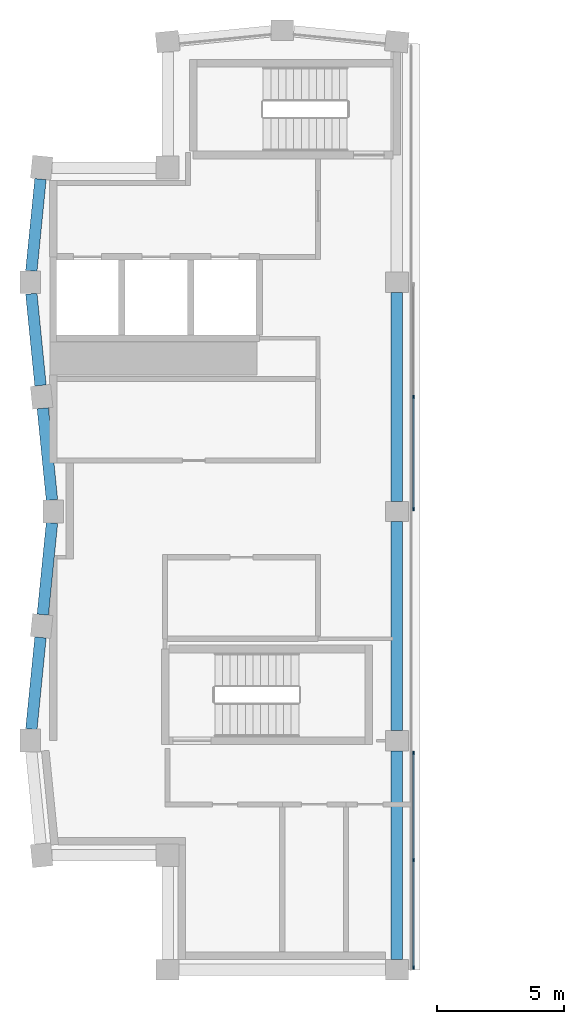
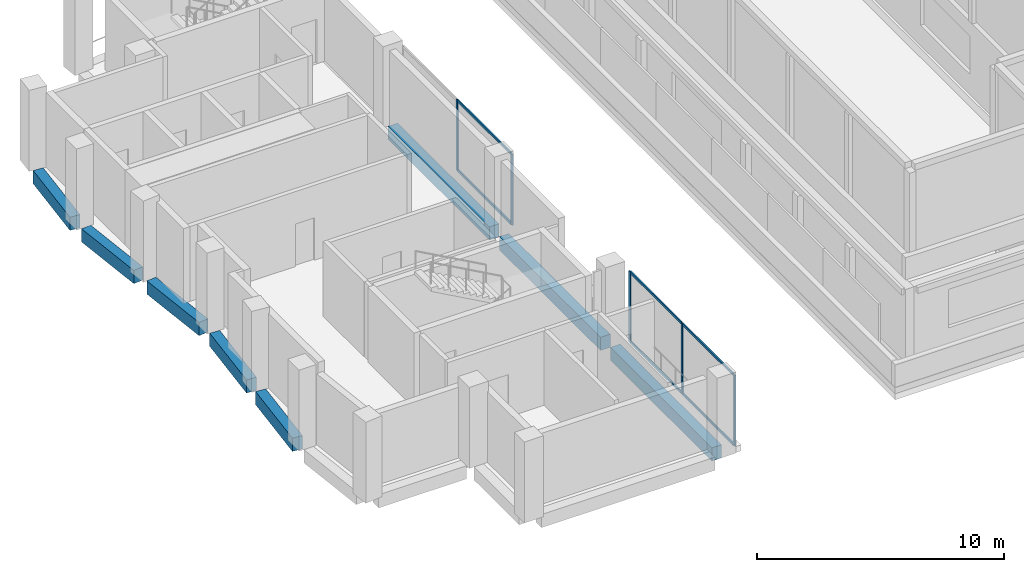
# One storey, part 2 of 8: 11 members, 8 beams, 2 elements without a shape of their own.
"""IFC4 building model written with IfcOpenShell, lengths in metres."""

from ifc_helpers import new_model, si_unit, direction, frame, origin, origin_2d, place, context, subcontext, project, spatial, rectangle, extrude, material, material_profile, profile_set, type_object, element, aggregate, save


model = new_model("IFC4")

# Units and contexts
model_context = context("Model", 3, precision=1e-05, world=origin(), true_north=direction((0.0, 1.0)))
body_context = subcontext(model_context, "Body", "Model", "MODEL_VIEW")
ifc_project = project(units=[si_unit("LENGTHUNIT", "METRE"), si_unit("AREAUNIT", "SQUARE_METRE"), si_unit("VOLUMEUNIT", "CUBIC_METRE"), si_unit("PLANEANGLEUNIT", "RADIAN"), si_unit("MASSUNIT", "GRAM", prefix="KILO")], contexts=[model_context])

# Site, building, storey
site_placement = place(None, origin())
site = spatial("IfcSite", under=ifc_project, at=site_placement, CompositionType="ELEMENT")
building_placement = place(site_placement, origin())
building = spatial("IfcBuilding", under=site, at=building_placement, Name="Brondeck Convention Tower", CompositionType="ELEMENT")
storey_placement = place(building_placement, frame((0.0, 0.0, 298.800048828125)))
storey = spatial("IfcBuildingStorey", under=building, at=storey_placement, Name="L74", CompositionType="ELEMENT", Elevation=298.800048828125)

# Curtain wall, members
ifc_material_1 = material(Name="Aluminium, bronze anodised", Category="aluminium")
curtain_wall_type = type_object("IfcCurtainWallType", Name="Crown screen curtain wall", PredefinedType="NOTDEFINED", material=ifc_material_1)
curtain_wall_1_placement = place(storey_placement, origin())
curtain_wall_1 = element("IfcCurtainWall", 1, at=curtain_wall_1_placement, inside=storey, type_object=curtain_wall_type, Name="ENV-CW4-L74-K1-SLOT-W-00-2", PredefinedType="NOTDEFINED")
ifc_material_profile_1 = material_profile(ifc_material_1, rectangle(XDim=0.06005859375, YDim=0.139892578125, at=origin_2d()), Name="CW4 mullion")
ifc_profile_set_1 = profile_set([ifc_material_profile_1], Name="Aluminium, bronze anodised")
member_type_1 = type_object("IfcMemberType", Name="CW4 mullion", PredefinedType="MULLION", material=ifc_profile_set_1)
member_1_placement = place(storey_placement, frame((14.14990234375, 35.52001953125, 0.0), z_axis=(0.0, 0.0, 1.0), x_axis=(1.0, 0.0, 0.0)))
member_1 = element("IfcMember", 2, at=member_1_placement, type_object=member_type_1, Name="CW4 mullion 1", PredefinedType="MULLION", context=body_context, shape_type="SweptSolid", body=[
    extrude(rectangle(XDim=0.06005859375, YDim=0.139892578125, at=origin_2d()), origin(), (0.0, 0.0, 1.0), 3.5),
])
member_2_placement = place(storey_placement, frame((14.14990234375, 31.304931640625, 0.0), z_axis=(0.0, 0.0, 1.0), x_axis=(1.0, 0.0, 0.0)))
member_2 = element("IfcMember", 3, at=member_2_placement, type_object=member_type_1, Name="CW4 mullion 2", PredefinedType="MULLION", context=body_context, shape_type="SweptSolid", body=[
    extrude(rectangle(XDim=0.06005859375, YDim=0.139892578125, at=origin_2d()), origin(), (0.0, 0.0, 1.0), 3.5),
])
member_3_placement = place(storey_placement, frame((14.14990234375, 27.090087890625, 0.0), z_axis=(0.0, 0.0, 1.0), x_axis=(1.0, 0.0, 0.0)))
member_3 = element("IfcMember", 4, at=member_3_placement, type_object=member_type_1, Name="CW4 mullion 3", PredefinedType="MULLION", context=body_context, shape_type="SweptSolid", body=[
    extrude(rectangle(XDim=0.06005859375, YDim=0.139892578125, at=origin_2d()), origin(), (0.0, 0.0, 1.0), 3.5),
])

curtain_wall_2_placement = place(storey_placement, origin())
curtain_wall_2 = element("IfcCurtainWall", 5, at=curtain_wall_2_placement, inside=storey, type_object=curtain_wall_type, Name="ENV-CW4-L74-K1-SLOT-W-05", PredefinedType="NOTDEFINED")
member_4_placement = place(storey_placement, frame((14.14990234375, 49.5, 0.0), z_axis=(0.0, 0.0, 1.0), x_axis=(1.0, 0.0, 0.0)))
member_4 = element("IfcMember", 6, at=member_4_placement, type_object=member_type_1, Name="CW4 mullion 2", PredefinedType="MULLION", context=body_context, shape_type="SweptSolid", body=[
    extrude(rectangle(XDim=0.06005859375, YDim=0.139892578125, at=origin_2d()), origin(), (0.0, 0.0, 1.0), 3.5),
])
member_5_placement = place(storey_placement, frame((14.14990234375, 45.090087890625, 0.0), z_axis=(0.0, 0.0, 1.0), x_axis=(1.0, 0.0, 0.0)))
member_5 = element("IfcMember", 7, at=member_5_placement, type_object=member_type_1, Name="CW4 mullion 3", PredefinedType="MULLION", context=body_context, shape_type="SweptSolid", body=[
    extrude(rectangle(XDim=0.06005859375, YDim=0.139892578125, at=origin_2d()), origin(), (0.0, 0.0, 1.0), 3.5),
])

# Member
ifc_material_profile_2 = material_profile(ifc_material_1, rectangle(XDim=0.06005859375, YDim=0.1201171875, at=origin_2d()), Name="CW4 transom")
ifc_profile_set_2 = profile_set([ifc_material_profile_2], Name="Aluminium, bronze anodised")
member_type_2 = type_object("IfcMemberType", Name="CW4 transom", PredefinedType="USERDEFINED", material=ifc_profile_set_2)
member_6_placement = place(storey_placement, frame((14.14990234375, 35.489990234375, 0.030029296875), z_axis=(0.0, -1.0, 0.0), x_axis=(1.0, 0.0, 0.0)))
member_6 = element("IfcMember", 8, at=member_6_placement, type_object=member_type_2, Name="CW4 transom 1.1", ObjectType="TRANSOM", PredefinedType="USERDEFINED", context=body_context, shape_type="SweptSolid", body=[
    extrude(rectangle(XDim=0.06005859375, YDim=0.1201171875, at=origin_2d()), origin(), (0.0, 0.0, 1.0), 4.155029296875),
])

member_7_placement = place(storey_placement, frame((14.14990234375, 35.489990234375, 3.469970703125), z_axis=(0.0, -1.0, 0.0), x_axis=(1.0, 0.0, 0.0)))
member_7 = element("IfcMember", 9, at=member_7_placement, type_object=member_type_2, Name="CW4 transom 1.2", ObjectType="TRANSOM", PredefinedType="USERDEFINED", context=body_context, shape_type="SweptSolid", body=[
    extrude(rectangle(XDim=0.06005859375, YDim=0.1201171875, at=origin_2d()), origin(), (0.0, 0.0, 1.0), 4.155029296875),
])

member_8_placement = place(storey_placement, frame((14.14990234375, 31.27490234375, 0.030029296875), z_axis=(0.0, -1.0, 0.0), x_axis=(1.0, 0.0, 0.0)))
member_8 = element("IfcMember", 10, at=member_8_placement, type_object=member_type_2, Name="CW4 transom 2.1", ObjectType="TRANSOM", PredefinedType="USERDEFINED", context=body_context, shape_type="SweptSolid", body=[
    extrude(rectangle(XDim=0.06005859375, YDim=0.1201171875, at=origin_2d()), origin(), (0.0, 0.0, 1.0), 4.15478515625),
])

member_9_placement = place(storey_placement, frame((14.14990234375, 31.27490234375, 3.469970703125), z_axis=(0.0, -1.0, 0.0), x_axis=(1.0, 0.0, 0.0)))
member_9 = element("IfcMember", 11, at=member_9_placement, type_object=member_type_2, Name="CW4 transom 2.2", ObjectType="TRANSOM", PredefinedType="USERDEFINED", context=body_context, shape_type="SweptSolid", body=[
    extrude(rectangle(XDim=0.06005859375, YDim=0.1201171875, at=origin_2d()), origin(), (0.0, 0.0, 1.0), 4.15478515625),
])

aggregate(curtain_wall_1, [member_1, member_2, member_3, member_6, member_7, member_8, member_9])

member_10_placement = place(storey_placement, frame((14.14990234375, 49.469970703125, 0.030029296875), z_axis=(0.0, -1.0, 0.0), x_axis=(1.0, 0.0, 0.0)))
member_10 = element("IfcMember", 12, at=member_10_placement, type_object=member_type_2, Name="CW4 transom 2.1", ObjectType="TRANSOM", PredefinedType="USERDEFINED", context=body_context, shape_type="SweptSolid", body=[
    extrude(rectangle(XDim=0.06005859375, YDim=0.1201171875, at=origin_2d()), origin(), (0.0, 0.0, 1.0), 4.349853515625),
])

member_11_placement = place(storey_placement, frame((14.14990234375, 49.469970703125, 3.469970703125), z_axis=(0.0, -1.0, 0.0), x_axis=(1.0, 0.0, 0.0)))
member_11 = element("IfcMember", 13, at=member_11_placement, type_object=member_type_2, Name="CW4 transom 2.2", ObjectType="TRANSOM", PredefinedType="USERDEFINED", context=body_context, shape_type="SweptSolid", body=[
    extrude(rectangle(XDim=0.06005859375, YDim=0.1201171875, at=origin_2d()), origin(), (0.0, 0.0, 1.0), 4.349853515625),
])

aggregate(curtain_wall_2, [member_4, member_5, member_10, member_11])

# Beams
ifc_material_2 = material(Name="Concrete C50/60", Category="concrete")
ifc_material_profile_3 = material_profile(ifc_material_2, rectangle(XDim=0.449951171875, YDim=0.64990234375, at=origin_2d()), Name="Precast spandrel 450x650 Concrete C50/60")
ifc_profile_set_3 = profile_set([ifc_material_profile_3], Name="Concrete C50/60")
beam_type = type_object("IfcBeamType", Name="Precast spandrel 450x650 Concrete C50/60", PredefinedType="SPANDREL", material=ifc_profile_set_3)
for number, where, z_axis, x_axis, name in (
    (14, (13.5, 27.39990234375, -0.324951171875), (0.0, 1.0, 0.0), (-1.0, 0.0, 0.0), "STR-SP-L74K1-002"),
    (15, (13.5, 36.39990234375, -0.324951171875), (0.0, 1.0, 0.0), (-1.0, 0.0, 0.0), "STR-SP-L74K1-003"),
    (16, (13.5, 45.39990234375, -0.324951171875), (0.0, 1.0, 0.0), (-1.0, 0.0, 0.0), "STR-SP-L74K1-004"),
):
    element("IfcBeam", number, at=place(storey_placement, frame(where, z_axis=z_axis, x_axis=x_axis)), inside=storey, type_object=beam_type, Name=name, PredefinedType="SPANDREL", context=body_context, shape_type="SweptSolid", body=[
        extrude(rectangle(XDim=0.449951171875, YDim=0.64990234375, at=origin_2d()), origin(), (0.0, 0.0, 1.0), 8.2001953125),
    ])
for number, where, z_axis, x_axis, name in (
    (17, (-0.494873046875, 58.05224609375, -0.324951171875), (-0.099470334057, -0.995040528141, 0.0), (0.995040528141, -0.099470334057, 0.0), "STR-SP-L74K1-010"),
    (18, (-0.85498046875, 53.550048828125, -0.324951171875), (0.099470334057, -0.995040528141, 0.0), (0.995040528141, 0.099470334057, 0.0), "STR-SP-L74K1-011"),
    (19, (-0.4052734375, 49.05224609375, -0.324951171875), (0.099537103649, -0.995033851182, 0.0), (0.995033851182, 0.099537103649, 0.0), "STR-SP-L74K1-012"),
    (20, (-0.044921875, 44.550048828125, -0.324951171875), (-0.099537103649, -0.995033851182, 0.0), (0.995033851182, -0.099537103649, 0.0), "STR-SP-L74K1-013"),
    (21, (-0.494873046875, 40.05224609375, -0.324951171875), (-0.099470334057, -0.995040528141, 0.0), (0.995040528141, -0.099470334057, 0.0), "STR-SP-L74K1-014"),
):
    element("IfcBeam", number, at=place(storey_placement, frame(where, z_axis=z_axis, x_axis=x_axis)), inside=storey, type_object=beam_type, Name=name, PredefinedType="SPANDREL", context=body_context, shape_type="SweptSolid", body=[
        extrude(rectangle(XDim=0.449951171875, YDim=0.64990234375, at=origin_2d()), origin(), (0.0, 0.0, 1.0), 3.620361328125),
    ])

save(model, "model.ifc")
